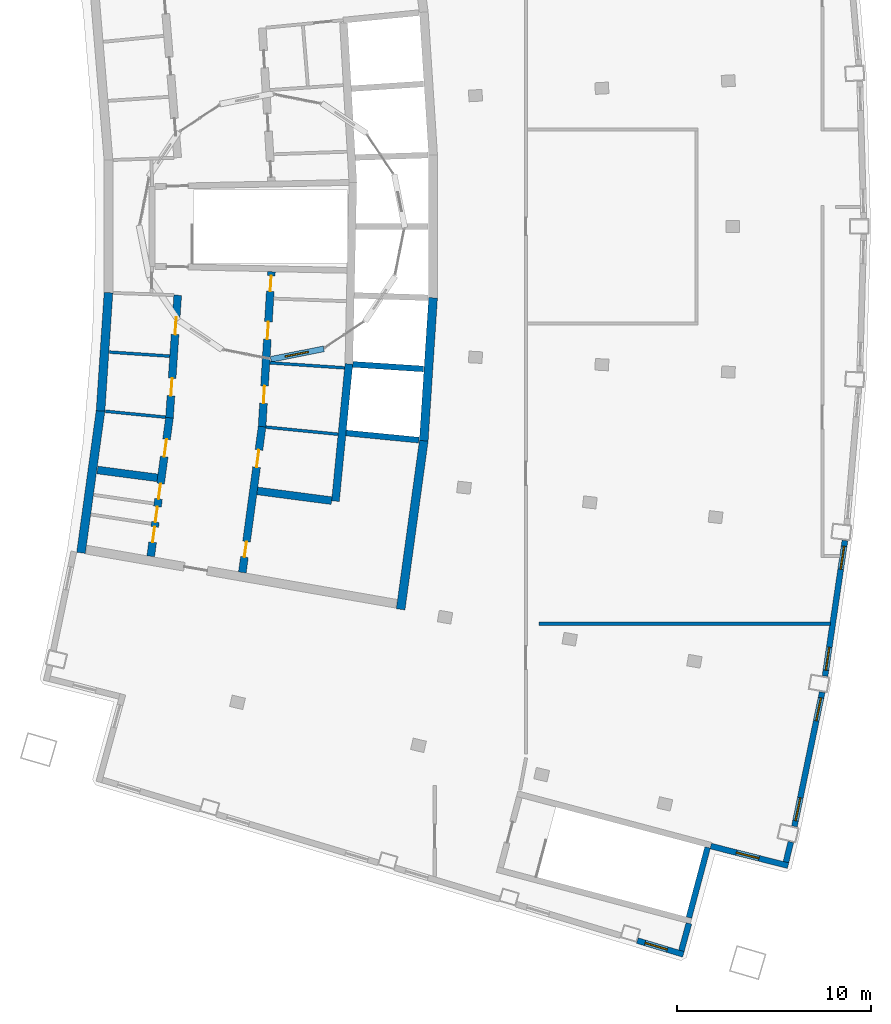
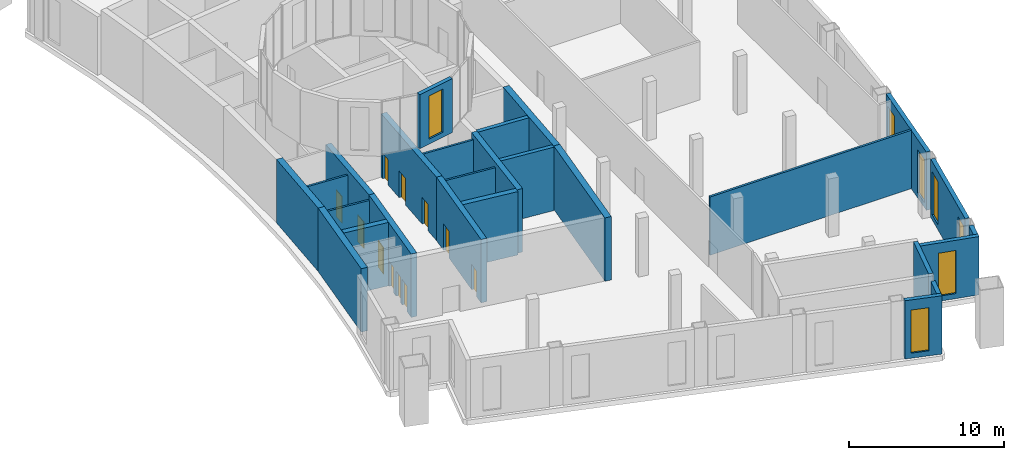
# One storey, part 4 of 9: 26 walls, 11 doors, 7 windows, 18 openings.
"""IFC4 building model written with IfcOpenShell, lengths in metres."""

from ifc_helpers import new_model, si_unit, direction, frame, frame_2d, origin, place, context, subcontext, project, spatial, rectangle, extrude, material, layer, layer_set, type_object, element, fill, save


model = new_model("IFC4")

# Units and contexts
model_context = context("Model", 3, precision=1e-05, world=origin(), true_north=direction((0.0, 1.0)))
body_context = subcontext(model_context, "Body", "Model", "MODEL_VIEW")
ifc_project = project(units=[si_unit("LENGTHUNIT", "METRE"), si_unit("AREAUNIT", "SQUARE_METRE"), si_unit("VOLUMEUNIT", "CUBIC_METRE"), si_unit("PLANEANGLEUNIT", "RADIAN"), si_unit("MASSUNIT", "GRAM", prefix="KILO")], contexts=[model_context])

# Site, building, storey
site_placement = place(None, origin())
site = spatial("IfcSite", under=ifc_project, at=site_placement, CompositionType="ELEMENT")
building_placement = place(site_placement, origin())
building = spatial("IfcBuilding", under=site, at=building_placement, Name="Alderwake Tower", CompositionType="ELEMENT")
storey_placement = place(building_placement, frame((0.0, 0.0, 310.0)))
storey = spatial("IfcBuildingStorey", under=building, at=storey_placement, Name="L75", CompositionType="ELEMENT", Elevation=310.0)

# Walls
ifc_material_1 = material(Name="Gypsum shaft wall system, rated")
ifc_layer_1 = layer(ifc_material_1, 0.14990234375)
ifc_layer_set_1 = layer_set([ifc_layer_1], Name="Core room partition 150")
wall_type_1 = type_object("IfcWallType", Name="Core room partition 150", PredefinedType="PARTITIONING", material=ifc_layer_set_1)
wall_1_placement = place(storey_placement, frame((16.510009765625, 51.463134765625, 0.0), z_axis=(0.0, 0.0, 1.0), x_axis=(0.995158089271, -0.098287218693, 0.0)))
element("IfcWall", 1, at=wall_1_placement, inside=storey, type_object=wall_type_1, Name="CW/L75/PR-103_+0", PredefinedType="PARTITIONING", context=body_context, shape_type="SweptSolid", body=[
    extrude(rectangle(XDim=3.119873046875, YDim=0.14990234375, at=frame_2d((1.56005859375, 0.0))), origin(), (0.0, 0.0, 1.0), 4.60009765625),
])
wall_2_placement = place(storey_placement, frame((24.789794921875, 50.64501953125, 0.0), z_axis=(0.0, 0.0, 1.0), x_axis=(0.99515533161, -0.098315136013, 0.0)))
element("IfcWall", 2, at=wall_2_placement, inside=storey, type_object=wall_type_1, Name="CW/L75/PR-103_+86", PredefinedType="PARTITIONING", context=body_context, shape_type="SweptSolid", body=[
    extrude(rectangle(XDim=3.7421875, YDim=0.14990234375, at=frame_2d((1.87109375, 0.0))), origin(), (0.0, 0.0, 1.0), 4.60009765625),
])
wall_3_placement = place(storey_placement, frame((16.714599609375, 54.51611328125, 0.0), z_axis=(0.0, 0.0, 1.0), x_axis=(0.997762234673, -0.066861970214, 0.0)))
element("IfcWall", 3, at=wall_3_placement, inside=storey, type_object=wall_type_1, Name="CW/L75/PR-70_+0", PredefinedType="PARTITIONING", context=body_context, shape_type="SweptSolid", body=[
    extrude(rectangle(XDim=3.118408203125, YDim=0.14990234375, at=frame_2d((1.55908203125, 0.0))), origin(), (0.0, 0.0, 1.0), 4.60009765625),
])
wall_4_placement = place(storey_placement, frame((24.990234375, 53.96142578125, 0.0), z_axis=(0.0, 0.0, 1.0), x_axis=(0.997763036934, -0.066849997223, 0.0)))
element("IfcWall", 4, at=wall_4_placement, inside=storey, type_object=wall_type_1, Name="CW/L75/PR-70_+86", PredefinedType="PARTITIONING", context=body_context, shape_type="SweptSolid", body=[
    extrude(rectangle(XDim=3.867431640625, YDim=0.14990234375, at=frame_2d((1.93359375, 0.0))), origin(), (0.0, 0.0, 1.0), 4.60009765625),
])
ifc_material_2 = material(Name="Concrete C70/85", Category="concrete")
ifc_layer_2 = layer(ifc_material_2, 0.449951171875)
ifc_layer_set_2 = layer_set([ifc_layer_2], Name="Core wall outer 450 C70-85")
wall_type_2 = type_object("IfcWallType", Name="Core wall outer 450 C70-85", PredefinedType="SHEAR", material=ifc_layer_set_2)
wall_5_placement = place(storey_placement, frame((15.247802734375, 44.159423828125, 0.0), z_axis=(0.0, 0.0, 1.0), x_axis=(0.136306095634, 0.990666769551, 0.0)))
element("IfcWall", 5, at=wall_5_placement, inside=storey, type_object=wall_type_2, Name="Core wall CW.028", PredefinedType="SHEAR", context=body_context, shape_type="SweptSolid", body=[
    extrude(rectangle(XDim=7.40625, YDim=0.449951171875, at=frame_2d((3.703125, 0.0))), origin(), (0.0, 0.0, 1.0), 5.0),
])
wall_6_placement = place(storey_placement, frame((16.255615234375, 51.47998046875, 0.0), z_axis=(0.0, 0.0, 1.0), x_axis=(0.066897619552, 0.997759845102, 0.0)))
element("IfcWall", 6, at=wall_6_placement, inside=storey, type_object=wall_type_2, Name="Core wall CW.027", PredefinedType="SHEAR", context=body_context, shape_type="SweptSolid", body=[
    extrude(rectangle(XDim=6.1201171875, YDim=0.449951171875, at=frame_2d((3.06005859375, 0.0))), origin(), (0.0, 0.0, 1.0), 5.0),
])
wall_7_placement = place(storey_placement, frame((31.74169921875, 41.2431640625, 0.0), z_axis=(0.0, 0.0, 1.0), x_axis=(0.135866240661, 0.99072718982, 0.0)))
element("IfcWall", 7, at=wall_7_placement, inside=storey, type_object=wall_type_2, Name="Core wall CW.022", PredefinedType="SHEAR", context=body_context, shape_type="SweptSolid", body=[
    extrude(rectangle(XDim=8.7958984375, YDim=0.449951171875, at=frame_2d((4.39794921875, 0.0))), origin(), (0.0, 0.0, 1.0), 5.0),
])
wall_8_placement = place(storey_placement, frame((32.93505859375, 49.940673828125, 0.0), z_axis=(0.0, 0.0, 1.0), x_axis=(0.064980500916, 0.997886533881, 0.0)))
element("IfcWall", 8, at=wall_8_placement, inside=storey, type_object=wall_type_2, Name="Core wall CW.021", PredefinedType="SHEAR", context=body_context, shape_type="SweptSolid", body=[
    extrude(rectangle(XDim=7.39404296875, YDim=0.449951171875, at=frame_2d((3.697021484375, 0.0))), origin(), (0.0, 0.0, 1.0), 5.0),
])
ifc_material_3 = material(Name="Concrete C70/85", Category="concrete")
ifc_layer_3 = layer(ifc_material_3, 0.300048828125)
ifc_layer_set_3 = layer_set([ifc_layer_3], Name="Core wall shaft 300 C70-85")
wall_type_3 = type_object("IfcWallType", Name="Core wall shaft 300 C70-85", PredefinedType="SHEAR", material=ifc_layer_set_3)
wall_9_placement = place(storey_placement, frame((28.922119140625, 50.341796875, 0.0), z_axis=(0.0, 0.0, 1.0), x_axis=(0.995245492172, -0.097398204864, 0.0)))
element("IfcWall", 9, at=wall_9_placement, inside=storey, type_object=wall_type_3, Name="Core wall CW.064", PredefinedType="SHEAR", context=body_context, shape_type="SweptSolid", body=[
    extrude(rectangle(XDim=3.777587890625, YDim=0.300048828125, at=frame_2d((1.888671875, 0.0))), origin(), (0.0, 0.0, 1.0), 5.0),
])
wall_10_placement = place(storey_placement, frame((29.268798828125, 53.884521484375, 0.0), z_axis=(0.0, 0.0, 1.0), x_axis=(0.99788697526, -0.064973722435, 0.0)))
element("IfcWall", 10, at=wall_10_placement, inside=storey, type_object=wall_type_3, Name="Core wall CW.078", PredefinedType="SHEAR", context=body_context, shape_type="SweptSolid", body=[
    extrude(rectangle(XDim=3.659912109375, YDim=0.300048828125, at=frame_2d((1.830078125, 0.0))), origin(), (0.0, 0.0, 1.0), 5.0),
])

# Wall, openings, doors
ifc_material_4 = material(Name="Concrete C70/85", Category="concrete")
ifc_layer_4 = layer(ifc_material_4, 0.39990234375)
ifc_layer_set_4 = layer_set([ifc_layer_4], Name="Core wall spine 400 C70-85")
wall_type_4 = type_object("IfcWallType", Name="Core wall spine 400 C70-85", PredefinedType="SHEAR", material=ifc_layer_set_4)
wall_11_placement = place(storey_placement, frame((19.814697265625, 51.143798828125, 0.0), z_axis=(0.0, 0.0, 1.0), x_axis=(-0.13407924926, -0.99097061254, 0.0)))
wall_11 = element("IfcWall", 11, at=wall_11_placement, inside=storey, type_object=wall_type_4, Name="Core wall CW.033", PredefinedType="SHEAR", context=body_context, shape_type="SweptSolid", body=[
    extrude(rectangle(XDim=7.228759765625, YDim=0.39990234375, at=frame_2d((3.6142578125, 0.0))), origin(), (0.0, 0.0, 1.0), 5.0),
])
opening_1_placement = place(wall_11_placement, frame((5.697021484375, 0.0, 0.0)))
opening_1 = element("IfcOpeningElement", 12, at=opening_1_placement, cuts=wall_11, Name="Opening C009", PredefinedType="OPENING", context=body_context, shape_type="SweptSolid", body=[
    extrude(rectangle(XDim=0.800048828125, YDim=2.0, at=frame_2d((0.39990234375, 1.0))), frame((0.0, 0.2099609375, 0.0), z_axis=(0.0, -1.0, 0.0), x_axis=(1.0, 0.0, 0.0)), (0.0, 0.0, 1.0), 0.419921875),
])
opening_2_placement = place(wall_11_placement, frame((4.64208984375, 0.0, 0.0)))
opening_2 = element("IfcOpeningElement", 13, at=opening_2_placement, cuts=wall_11, Name="Opening C011", PredefinedType="OPENING", context=body_context, shape_type="SweptSolid", body=[
    extrude(rectangle(XDim=0.800048828125, YDim=2.0, at=frame_2d((0.39990234375, 1.0))), frame((0.0, 0.2099609375, 0.0), z_axis=(0.0, -1.0, 0.0), x_axis=(1.0, 0.0, 0.0)), (0.0, 0.0, 1.0), 0.419921875),
])
opening_3_placement = place(wall_11_placement, frame((3.443115234375, 0.0, 0.0)))
opening_3 = element("IfcOpeningElement", 14, at=opening_3_placement, cuts=wall_11, Name="Opening C012", PredefinedType="OPENING", context=body_context, shape_type="SweptSolid", body=[
    extrude(rectangle(XDim=0.800048828125, YDim=2.0, at=frame_2d((0.39990234375, 1.0))), frame((0.0, 0.2099609375, 0.0), z_axis=(0.0, -1.0, 0.0), x_axis=(1.0, 0.0, 0.0)), (0.0, 0.0, 1.0), 0.419921875),
])
opening_4_placement = place(wall_11_placement, frame((1.13916015625, 0.0, 0.0)))
opening_4 = element("IfcOpeningElement", 15, at=opening_4_placement, cuts=wall_11, Name="Opening C039", PredefinedType="OPENING", context=body_context, shape_type="SweptSolid", body=[
    extrude(rectangle(XDim=0.89990234375, YDim=2.10009765625, at=frame_2d((0.449951171875, 1.050048828125))), frame((0.0, 0.2099609375, 0.0), z_axis=(0.0, -1.0, 0.0), x_axis=(1.0, 0.0, 0.0)), (0.0, 0.0, 1.0), 0.419921875),
])
ifc_material_5 = material(Name="Painted steel leaf", Category="steel")
door_type_1 = type_object("IfcDoorType", Name="Core room door 900", OperationType="SINGLE_SWING_LEFT", PredefinedType="DOOR", material=ifc_material_5)
door_1_placement = place(opening_4_placement, origin())
door_1 = element("IfcDoor", 16, at=door_1_placement, inside=storey, type_object=door_type_1, Name="Room door", OperationType="SINGLE_SWING_RIGHT", OverallHeight=2.10009765625, OverallWidth=0.89990234375, PredefinedType="DOOR", context=body_context, shape_type="SweptSolid", body=[
    extrude(rectangle(XDim=0.89990234375, YDim=2.10009765625, at=frame_2d((0.449951171875, 1.050048828125))), frame((0.0, 0.02490234375, 0.0), z_axis=(0.0, -1.0, 0.0), x_axis=(1.0, 0.0, 0.0)), (0.0, 0.0, 1.0), 0.050048828125),
])
fill(opening_4, door_1)
ifc_material_6 = material(Name="Painted steel leaf, rated", Category="steel")
door_type_2 = type_object("IfcDoorType", Name="Riser access door 800", OperationType="SINGLE_SWING_LEFT", PredefinedType="DOOR", material=ifc_material_6)
door_2_placement = place(opening_1_placement, origin())
door_2 = element("IfcDoor", 17, at=door_2_placement, inside=storey, type_object=door_type_2, Name="Riser access door", OperationType="SINGLE_SWING_LEFT", OverallHeight=2.0, OverallWidth=0.800048828125, PredefinedType="DOOR", context=body_context, shape_type="SweptSolid", body=[
    extrude(rectangle(XDim=0.800048828125, YDim=2.0, at=frame_2d((0.39990234375, 1.0))), frame((0.0, 0.02490234375, 0.0), z_axis=(0.0, -1.0, 0.0), x_axis=(1.0, 0.0, 0.0)), (0.0, 0.0, 1.0), 0.050048828125),
])
fill(opening_1, door_2)
door_3_placement = place(opening_2_placement, origin())
door_3 = element("IfcDoor", 18, at=door_3_placement, inside=storey, type_object=door_type_2, Name="Riser access door", OperationType="SINGLE_SWING_RIGHT", OverallHeight=2.0, OverallWidth=0.800048828125, PredefinedType="DOOR", context=body_context, shape_type="SweptSolid", body=[
    extrude(rectangle(XDim=0.800048828125, YDim=2.0, at=frame_2d((0.39990234375, 1.0))), frame((0.0, 0.02490234375, 0.0), z_axis=(0.0, -1.0, 0.0), x_axis=(1.0, 0.0, 0.0)), (0.0, 0.0, 1.0), 0.050048828125),
])
fill(opening_2, door_3)
door_4_placement = place(opening_3_placement, origin())
door_4 = element("IfcDoor", 19, at=door_4_placement, inside=storey, type_object=door_type_2, Name="Riser access door", OperationType="SINGLE_SWING_LEFT", OverallHeight=2.0, OverallWidth=0.800048828125, PredefinedType="DOOR", context=body_context, shape_type="SweptSolid", body=[
    extrude(rectangle(XDim=0.800048828125, YDim=2.0, at=frame_2d((0.39990234375, 1.0))), frame((0.0, 0.02490234375, 0.0), z_axis=(0.0, -1.0, 0.0), x_axis=(1.0, 0.0, 0.0)), (0.0, 0.0, 1.0), 0.050048828125),
])
fill(opening_3, door_4)

wall_12_placement = place(storey_placement, frame((20.2373046875, 57.451904296875, 0.0), z_axis=(0.0, 0.0, 1.0), x_axis=(-0.066884681503, -0.997760712486, 0.0)))
wall_12 = element("IfcWall", 20, at=wall_12_placement, inside=storey, type_object=wall_type_4, Name="Core wall CW.032", PredefinedType="SHEAR", context=body_context, shape_type="SweptSolid", body=[
    extrude(rectangle(XDim=6.336669921875, YDim=0.39990234375, at=frame_2d((3.16845703125, 0.0))), origin(), (0.0, 0.0, 1.0), 5.0),
])
opening_5_placement = place(wall_12_placement, frame((4.297119140625, 0.0, 0.0)))
opening_5 = element("IfcOpeningElement", 21, at=opening_5_placement, cuts=wall_12, Name="Opening C041", PredefinedType="OPENING", context=body_context, shape_type="SweptSolid", body=[
    extrude(rectangle(XDim=0.89990234375, YDim=2.10009765625, at=frame_2d((0.449951171875, 1.050048828125))), frame((0.0, 0.2099609375, 0.0), z_axis=(0.0, -1.0, 0.0), x_axis=(1.0, 0.0, 0.0)), (0.0, 0.0, 1.0), 0.419921875),
])
opening_6_placement = place(wall_12_placement, frame((1.132080078125, 0.0, 0.0)))
opening_6 = element("IfcOpeningElement", 22, at=opening_6_placement, cuts=wall_12, Name="Opening C042", PredefinedType="OPENING", context=body_context, shape_type="SweptSolid", body=[
    extrude(rectangle(XDim=0.89990234375, YDim=2.10009765625, at=frame_2d((0.449951171875, 1.050048828125))), frame((0.0, 0.2099609375, 0.0), z_axis=(0.0, -1.0, 0.0), x_axis=(1.0, 0.0, 0.0)), (0.0, 0.0, 1.0), 0.419921875),
])
door_5_placement = place(opening_5_placement, origin())
door_5 = element("IfcDoor", 23, at=door_5_placement, inside=storey, type_object=door_type_1, Name="Room door", OperationType="SINGLE_SWING_LEFT", OverallHeight=2.10009765625, OverallWidth=0.89990234375, PredefinedType="DOOR", context=body_context, shape_type="SweptSolid", body=[
    extrude(rectangle(XDim=0.89990234375, YDim=2.10009765625, at=frame_2d((0.449951171875, 1.050048828125))), frame((0.0, 0.02490234375, 0.0), z_axis=(0.0, -1.0, 0.0), x_axis=(1.0, 0.0, 0.0)), (0.0, 0.0, 1.0), 0.050048828125),
])
fill(opening_5, door_5)
door_6_placement = place(opening_6_placement, origin())
door_6 = element("IfcDoor", 24, at=door_6_placement, inside=storey, type_object=door_type_1, Name="Room door", OperationType="SINGLE_SWING_RIGHT", OverallHeight=2.10009765625, OverallWidth=0.89990234375, PredefinedType="DOOR", context=body_context, shape_type="SweptSolid", body=[
    extrude(rectangle(XDim=0.89990234375, YDim=2.10009765625, at=frame_2d((0.449951171875, 1.050048828125))), frame((0.0, 0.02490234375, 0.0), z_axis=(0.0, -1.0, 0.0), x_axis=(1.0, 0.0, 0.0)), (0.0, 0.0, 1.0), 0.050048828125),
])
fill(opening_6, door_6)

wall_13_placement = place(storey_placement, frame((23.572265625, 43.14453125, 0.0), z_axis=(0.0, 0.0, 1.0), x_axis=(0.134205350878, 0.990953542703, 0.0)))
wall_13 = element("IfcWall", 25, at=wall_13_placement, inside=storey, type_object=wall_type_4, Name="Core wall CW.047", PredefinedType="SHEAR", context=body_context, shape_type="SweptSolid", body=[
    extrude(rectangle(XDim=7.5966796875, YDim=0.39990234375, at=frame_2d((3.79833984375, 0.0))), origin(), (0.0, 0.0, 1.0), 5.0),
])
opening_7_placement = place(wall_13_placement, frame((0.807861328125, 0.0, 0.0)))
opening_7 = element("IfcOpeningElement", 26, at=opening_7_placement, cuts=wall_13, Name="Opening C013", PredefinedType="OPENING", context=body_context, shape_type="SweptSolid", body=[
    extrude(rectangle(XDim=0.800048828125, YDim=2.0, at=frame_2d((0.39990234375, 1.0))), frame((0.0, 0.2099609375, 0.0), z_axis=(0.0, -1.0, 0.0), x_axis=(1.0, 0.0, 0.0)), (0.0, 0.0, 1.0), 0.419921875),
])
opening_8_placement = place(wall_13_placement, frame((5.481201171875, 0.0, 0.0)))
opening_8 = element("IfcOpeningElement", 27, at=opening_8_placement, cuts=wall_13, Name="Opening C045", PredefinedType="OPENING", context=body_context, shape_type="SweptSolid", body=[
    extrude(rectangle(XDim=0.89990234375, YDim=2.10009765625, at=frame_2d((0.449951171875, 1.050048828125))), frame((0.0, 0.2099609375, 0.0), z_axis=(0.0, -1.0, 0.0), x_axis=(1.0, 0.0, 0.0)), (0.0, 0.0, 1.0), 0.419921875),
])
door_7_placement = place(opening_8_placement, origin())
door_7 = element("IfcDoor", 28, at=door_7_placement, inside=storey, type_object=door_type_1, Name="Room door", OperationType="SINGLE_SWING_LEFT", OverallHeight=2.10009765625, OverallWidth=0.89990234375, PredefinedType="DOOR", context=body_context, shape_type="SweptSolid", body=[
    extrude(rectangle(XDim=0.89990234375, YDim=2.10009765625, at=frame_2d((0.449951171875, 1.050048828125))), frame((0.0, 0.02490234375, 0.0), z_axis=(0.0, -1.0, 0.0), x_axis=(1.0, 0.0, 0.0)), (0.0, 0.0, 1.0), 0.050048828125),
])
fill(opening_8, door_7)
door_8_placement = place(opening_7_placement, origin())
door_8 = element("IfcDoor", 29, at=door_8_placement, inside=storey, type_object=door_type_2, Name="Riser access door", OperationType="SINGLE_SWING_RIGHT", OverallHeight=2.0, OverallWidth=0.800048828125, PredefinedType="DOOR", context=body_context, shape_type="SweptSolid", body=[
    extrude(rectangle(XDim=0.800048828125, YDim=2.0, at=frame_2d((0.39990234375, 1.0))), frame((0.0, 0.02490234375, 0.0), z_axis=(0.0, -1.0, 0.0), x_axis=(1.0, 0.0, 0.0)), (0.0, 0.0, 1.0), 0.050048828125),
])
fill(opening_7, door_8)

wall_14_placement = place(storey_placement, frame((24.590087890625, 50.65673828125, 0.0), z_axis=(0.0, 0.0, 1.0), x_axis=(0.060318641452, 0.998179173041, 0.0)))
wall_14 = element("IfcWall", 30, at=wall_14_placement, inside=storey, type_object=wall_type_4, Name="Core wall CW.046", PredefinedType="SHEAR", context=body_context, shape_type="SweptSolid", body=[
    extrude(rectangle(XDim=8.022216796875, YDim=0.39990234375, at=frame_2d((4.01123046875, 0.0))), origin(), (0.0, 0.0, 1.0), 5.0),
])
opening_9_placement = place(wall_14_placement, frame((7.006103515625, 0.0, 0.0)))
opening_9 = element("IfcOpeningElement", 31, at=opening_9_placement, cuts=wall_14, Name="Opening C006", PredefinedType="OPENING", context=body_context, shape_type="SweptSolid", body=[
    extrude(rectangle(XDim=0.800048828125, YDim=2.0, at=frame_2d((0.39990234375, 1.0))), frame((0.0, 0.2099609375, 0.0), z_axis=(0.0, -1.0, 0.0), x_axis=(1.0, 0.0, 0.0)), (0.0, 0.0, 1.0), 0.419921875),
])
opening_10_placement = place(wall_14_placement, frame((1.21533203125, 0.0, 0.0)))
opening_10 = element("IfcOpeningElement", 32, at=opening_10_placement, cuts=wall_14, Name="Opening C047", PredefinedType="OPENING", context=body_context, shape_type="SweptSolid", body=[
    extrude(rectangle(XDim=0.89990234375, YDim=2.10009765625, at=frame_2d((0.449951171875, 1.050048828125))), frame((0.0, 0.2099609375, 0.0), z_axis=(0.0, -1.0, 0.0), x_axis=(1.0, 0.0, 0.0)), (0.0, 0.0, 1.0), 0.419921875),
])
opening_11_placement = place(wall_14_placement, frame((4.531982421875, 0.0, 0.0)))
opening_11 = element("IfcOpeningElement", 33, at=opening_11_placement, cuts=wall_14, Name="Opening C048", PredefinedType="OPENING", context=body_context, shape_type="SweptSolid", body=[
    extrude(rectangle(XDim=0.89990234375, YDim=2.10009765625, at=frame_2d((0.449951171875, 1.050048828125))), frame((0.0, 0.2099609375, 0.0), z_axis=(0.0, -1.0, 0.0), x_axis=(1.0, 0.0, 0.0)), (0.0, 0.0, 1.0), 0.419921875),
])
door_9_placement = place(opening_10_placement, origin())
door_9 = element("IfcDoor", 34, at=door_9_placement, inside=storey, type_object=door_type_1, Name="Room door", OperationType="SINGLE_SWING_RIGHT", OverallHeight=2.10009765625, OverallWidth=0.89990234375, PredefinedType="DOOR", context=body_context, shape_type="SweptSolid", body=[
    extrude(rectangle(XDim=0.89990234375, YDim=2.10009765625, at=frame_2d((0.449951171875, 1.050048828125))), frame((0.0, 0.02490234375, 0.0), z_axis=(0.0, -1.0, 0.0), x_axis=(1.0, 0.0, 0.0)), (0.0, 0.0, 1.0), 0.050048828125),
])
fill(opening_10, door_9)
door_10_placement = place(opening_11_placement, origin())
door_10 = element("IfcDoor", 35, at=door_10_placement, inside=storey, type_object=door_type_1, Name="Room door", OperationType="SINGLE_SWING_LEFT", OverallHeight=2.10009765625, OverallWidth=0.89990234375, PredefinedType="DOOR", context=body_context, shape_type="SweptSolid", body=[
    extrude(rectangle(XDim=0.89990234375, YDim=2.10009765625, at=frame_2d((0.449951171875, 1.050048828125))), frame((0.0, 0.02490234375, 0.0), z_axis=(0.0, -1.0, 0.0), x_axis=(1.0, 0.0, 0.0)), (0.0, 0.0, 1.0), 0.050048828125),
])
fill(opening_11, door_10)
door_11_placement = place(opening_9_placement, origin())
door_11 = element("IfcDoor", 36, at=door_11_placement, inside=storey, type_object=door_type_2, Name="Riser access door", OperationType="SINGLE_SWING_RIGHT", OverallHeight=2.0, OverallWidth=0.800048828125, PredefinedType="DOOR", context=body_context, shape_type="SweptSolid", body=[
    extrude(rectangle(XDim=0.800048828125, YDim=2.0, at=frame_2d((0.39990234375, 1.0))), frame((0.0, 0.02490234375, 0.0), z_axis=(0.0, -1.0, 0.0), x_axis=(1.0, 0.0, 0.0)), (0.0, 0.0, 1.0), 0.050048828125),
])
fill(opening_9, door_11)

# Walls
wall_15_placement = place(storey_placement, frame((28.376953125, 46.8251953125, 0.0), z_axis=(0.0, 0.0, 1.0), x_axis=(0.097393469943, 0.995245955537, 0.0)))
element("IfcWall", 37, at=wall_15_placement, inside=storey, type_object=wall_type_4, Name="Core wall CW.005", PredefinedType="SHEAR", context=body_context, shape_type="SweptSolid", body=[
    extrude(rectangle(XDim=7.1142578125, YDim=0.39990234375, at=frame_2d((3.55712890625, 0.0))), origin(), (0.0, 0.0, 1.0), 5.0),
])
wall_16_placement = place(storey_placement, frame((16.093017578125, 48.431640625, 0.0), z_axis=(0.0, 0.0, 1.0), x_axis=(0.991562461837, -0.12962979702, 0.0)))
element("IfcWall", 38, at=wall_16_placement, inside=storey, type_object=wall_type_4, Name="Core wall CW.067", PredefinedType="SHEAR", context=body_context, shape_type="SweptSolid", body=[
    extrude(rectangle(XDim=3.12451171875, YDim=0.39990234375, at=frame_2d((1.562255859375, 0.0))), origin(), (0.0, 0.0, 1.0), 5.0),
])
wall_17_placement = place(storey_placement, frame((24.343994140625, 47.3525390625, 0.0), z_axis=(0.0, 0.0, 1.0), x_axis=(0.991556701857, -0.129673848568, 0.0)))
element("IfcWall", 39, at=wall_17_placement, inside=storey, type_object=wall_type_4, Name="Core wall CW.069", PredefinedType="SHEAR", context=body_context, shape_type="SweptSolid", body=[
    extrude(rectangle(XDim=3.8671875, YDim=0.39990234375, at=frame_2d((1.93359375, 0.0))), origin(), (0.0, 0.0, 1.0), 5.0),
])
ifc_material_7 = material(Name="Concrete C70/85", Category="concrete")
ifc_layer_5 = layer(ifc_material_7, 0.300048828125)
ifc_layer_set_5 = layer_set([ifc_layer_5], Name="Core wall stair enclosure 300 C70-85")
wall_type_5 = type_object("IfcWallType", Name="Core wall stair enclosure 300 C70-85", PredefinedType="SHEAR", material=ifc_layer_set_5)
wall_18_placement = place(storey_placement, frame((46.6162109375, 25.334716796875, 0.0), z_axis=(0.0, 0.0, 1.0), x_axis=(0.257366821694, 0.966313778796, 0.0)))
element("IfcWall", 40, at=wall_18_placement, inside=storey, type_object=wall_type_5, Name="Core wall CW.085", PredefinedType="SHEAR", context=body_context, shape_type="SweptSolid", body=[
    extrude(rectangle(XDim=3.749755859375, YDim=0.300048828125, at=frame_2d((1.875, 0.0))), origin(), (0.0, 0.0, 1.0), 5.0),
])
ifc_material_8 = material(Name="Gypsum board on metal studs, rated")
ifc_layer_6 = layer(ifc_material_8, 0.159912109375)
ifc_layer_set_6 = layer_set([ifc_layer_6], Name="Corridor wall 160")
wall_type_6 = type_object("IfcWallType", Name="Corridor wall 160", PredefinedType="PARTITIONING", material=ifc_layer_set_6)
wall_19_placement = place(storey_placement, frame((38.87890625, 40.5, 0.0), z_axis=(0.0, 0.0, 1.0), x_axis=(1.0, 0.0, 0.0)))
element("IfcWall", 41, at=wall_19_placement, inside=storey, type_object=wall_type_6, Name="WL/L75/W10", PredefinedType="PARTITIONING", context=body_context, shape_type="SweptSolid", body=[
    extrude(rectangle(XDim=15.048095703125, YDim=0.159912109375, at=frame_2d((7.52392578125, 0.0))), origin(), (0.0, 0.0, 1.0), 4.60009765625),
])

# Wall, opening, window
ifc_material_9 = material(Name="Bronze metal cladding on lightweight framing")
ifc_layer_7 = layer(ifc_material_9, 0.300048828125)
ifc_layer_set_7 = layer_set([ifc_layer_7], Name="External wall EW3 plant enclosure")
wall_type_7 = type_object("IfcWallType", Name="External wall EW3 plant enclosure", PredefinedType="SOLIDWALL", material=ifc_layer_set_7)
wall_20_placement = place(storey_placement, frame((43.9560546875, 24.150390625, 0.0), z_axis=(0.0, 0.0, 1.0), x_axis=(0.957747659823, -0.287609840068, 0.0)))
wall_20 = element("IfcWall", 42, at=wall_20_placement, inside=storey, type_object=wall_type_7, Name="External wall 15", PredefinedType="SOLIDWALL", context=body_context, shape_type="SweptSolid", body=[
    extrude(rectangle(XDim=2.4794921875, YDim=0.300048828125, at=frame_2d((1.23974609375, 0.0))), origin(), (0.0, 0.0, 1.0), 4.60009765625),
])
opening_12_placement = place(wall_20_placement, frame((0.4140625, 0.0, 0.39990234375)))
opening_12 = element("IfcOpeningElement", 43, at=opening_12_placement, cuts=wall_20, Name="Opening LV2", PredefinedType="OPENING", context=body_context, shape_type="SweptSolid", body=[
    extrude(rectangle(XDim=1.199951171875, YDim=3.39990234375, at=frame_2d((0.60009765625, 1.699951171875))), frame((0.0, 0.159912109375, 0.0), z_axis=(0.0, -1.0, 0.0), x_axis=(1.0, 0.0, 0.0)), (0.0, 0.0, 1.0), 0.320068359375),
])
ifc_material_10 = material(Name="Bronze anodised aluminium louvre", Category="aluminium")
window_type = type_object("IfcWindowType", Name="Louvre LV2 crown drum", PartitioningType="SINGLE_PANEL", PredefinedType="USERDEFINED", material=ifc_material_10)
window_1_placement = place(opening_12_placement, origin())
window_1 = element("IfcWindow", 44, at=window_1_placement, inside=storey, type_object=window_type, Name="Louvre LV2 crown drum", ObjectType="LOUVRE", OverallHeight=3.39990234375, OverallWidth=1.199951171875, PartitioningType="SINGLE_PANEL", PredefinedType="USERDEFINED", context=body_context, shape_type="SweptSolid", body=[
    extrude(rectangle(XDim=1.199951171875, YDim=3.39990234375, at=frame_2d((0.60009765625, 1.699951171875))), frame((0.0, 0.030029296875, 0.0), z_axis=(0.0, -1.0, 0.0), x_axis=(1.0, 0.0, 0.0)), (0.0, 0.0, 1.0), 0.06005859375),
])
fill(opening_12, window_1)

# Wall
wall_21_placement = place(storey_placement, frame((46.22705078125, 23.625, 0.0), z_axis=(0.0, 0.0, 1.0), x_axis=(0.264962940646, 0.964258596065, 0.0)))
element("IfcWall", 45, at=wall_21_placement, inside=storey, type_object=wall_type_7, Name="External wall 17", PredefinedType="SOLIDWALL", context=body_context, shape_type="SweptSolid", body=[
    extrude(rectangle(XDim=1.466064453125, YDim=0.300048828125, at=frame_2d((0.73291015625, 0.0))), origin(), (0.0, 0.0, 1.0), 4.60009765625),
])

# Wall, opening, window
wall_22_placement = place(storey_placement, frame((47.7412109375, 29.026611328125, 0.0), z_axis=(0.0, 0.0, 1.0), x_axis=(0.969426555578, -0.245381648337, 0.0)))
wall_22 = element("IfcWall", 46, at=wall_22_placement, inside=storey, type_object=wall_type_7, Name="External wall 19", PredefinedType="SOLIDWALL", context=body_context, shape_type="SweptSolid", body=[
    extrude(rectangle(XDim=4.115966796875, YDim=0.300048828125, at=frame_2d((2.05810546875, 0.0))), origin(), (0.0, 0.0, 1.0), 4.60009765625),
])
opening_13_placement = place(wall_22_placement, frame((1.368896484375, 0.0, 0.39990234375)))
opening_13 = element("IfcOpeningElement", 47, at=opening_13_placement, cuts=wall_22, Name="Opening LV2", PredefinedType="OPENING", context=body_context, shape_type="SweptSolid", body=[
    extrude(rectangle(XDim=1.199951171875, YDim=3.39990234375, at=frame_2d((0.60009765625, 1.699951171875))), frame((0.0, 0.159912109375, 0.0), z_axis=(0.0, -1.0, 0.0), x_axis=(1.0, 0.0, 0.0)), (0.0, 0.0, 1.0), 0.320068359375),
])
window_2_placement = place(opening_13_placement, origin())
window_2 = element("IfcWindow", 48, at=window_2_placement, inside=storey, type_object=window_type, Name="Louvre LV2 crown drum", ObjectType="LOUVRE", OverallHeight=3.39990234375, OverallWidth=1.199951171875, PartitioningType="SINGLE_PANEL", PredefinedType="USERDEFINED", context=body_context, shape_type="SweptSolid", body=[
    extrude(rectangle(XDim=1.199951171875, YDim=3.39990234375, at=frame_2d((0.60009765625, 1.699951171875))), frame((0.0, 0.030029296875, 0.0), z_axis=(0.0, -1.0, 0.0), x_axis=(1.0, 0.0, 0.0)), (0.0, 0.0, 1.0), 0.06005859375),
])
fill(opening_13, window_2)

# Wall
wall_23_placement = place(storey_placement, frame((51.621826171875, 28.19921875, 0.0), z_axis=(0.0, 0.0, 1.0), x_axis=(0.238302541545, 0.971190969219, 0.0)))
element("IfcWall", 49, at=wall_23_placement, inside=storey, type_object=wall_type_7, Name="External wall 21", PredefinedType="SOLIDWALL", context=body_context, shape_type="SweptSolid", body=[
    extrude(rectangle(XDim=1.07275390625, YDim=0.300048828125, at=frame_2d((0.536376953125, 0.0))), origin(), (0.0, 0.0, 1.0), 4.60009765625),
])

# Wall, openings, windows
wall_24_placement = place(storey_placement, frame((52.0595703125, 30.047607421875, 0.0), z_axis=(0.0, 0.0, 1.0), x_axis=(0.202747225934, 0.979231107745, 0.0)))
wall_24 = element("IfcWall", 50, at=wall_24_placement, inside=storey, type_object=wall_type_7, Name="External wall 23", PredefinedType="SOLIDWALL", context=body_context, shape_type="SweptSolid", body=[
    extrude(rectangle(XDim=7.068359375, YDim=0.300048828125, at=frame_2d((3.5341796875, 0.0))), origin(), (0.0, 0.0, 1.0), 4.60009765625),
])
opening_14_placement = place(wall_24_placement, frame((0.3017578125, 0.0, 0.39990234375)))
opening_14 = element("IfcOpeningElement", 51, at=opening_14_placement, cuts=wall_24, Name="Opening LV2", PredefinedType="OPENING", context=body_context, shape_type="SweptSolid", body=[
    extrude(rectangle(XDim=1.199951171875, YDim=3.39990234375, at=frame_2d((0.60009765625, 1.699951171875))), frame((0.0, 0.159912109375, 0.0), z_axis=(0.0, -1.0, 0.0), x_axis=(1.0, 0.0, 0.0)), (0.0, 0.0, 1.0), 0.320068359375),
])
opening_15_placement = place(wall_24_placement, frame((5.566650390625, 0.0, 0.39990234375)))
opening_15 = element("IfcOpeningElement", 52, at=opening_15_placement, cuts=wall_24, Name="Opening LV2", PredefinedType="OPENING", context=body_context, shape_type="SweptSolid", body=[
    extrude(rectangle(XDim=1.199951171875, YDim=3.39990234375, at=frame_2d((0.60009765625, 1.699951171875))), frame((0.0, 0.159912109375, 0.0), z_axis=(0.0, -1.0, 0.0), x_axis=(1.0, 0.0, 0.0)), (0.0, 0.0, 1.0), 0.320068359375),
])
window_3_placement = place(opening_14_placement, origin())
window_3 = element("IfcWindow", 53, at=window_3_placement, inside=storey, type_object=window_type, Name="Louvre LV2 crown drum", ObjectType="LOUVRE", OverallHeight=3.39990234375, OverallWidth=1.199951171875, PartitioningType="SINGLE_PANEL", PredefinedType="USERDEFINED", context=body_context, shape_type="SweptSolid", body=[
    extrude(rectangle(XDim=1.199951171875, YDim=3.39990234375, at=frame_2d((0.60009765625, 1.699951171875))), frame((0.0, 0.030029296875, 0.0), z_axis=(0.0, -1.0, 0.0), x_axis=(1.0, 0.0, 0.0)), (0.0, 0.0, 1.0), 0.06005859375),
])
fill(opening_14, window_3)
window_4_placement = place(opening_15_placement, origin())
window_4 = element("IfcWindow", 54, at=window_4_placement, inside=storey, type_object=window_type, Name="Louvre LV2 crown drum", ObjectType="LOUVRE", OverallHeight=3.39990234375, OverallWidth=1.199951171875, PartitioningType="SINGLE_PANEL", PredefinedType="USERDEFINED", context=body_context, shape_type="SweptSolid", body=[
    extrude(rectangle(XDim=1.199951171875, YDim=3.39990234375, at=frame_2d((0.60009765625, 1.699951171875))), frame((0.0, 0.030029296875, 0.0), z_axis=(0.0, -1.0, 0.0), x_axis=(1.0, 0.0, 0.0)), (0.0, 0.0, 1.0), 0.06005859375),
])
fill(opening_15, window_4)

wall_25_placement = place(storey_placement, frame((53.639404296875, 37.799560546875, 0.0), z_axis=(0.0, 0.0, 1.0), x_axis=(0.145313007309, 0.989385733628, 0.0)))
wall_25 = element("IfcWall", 55, at=wall_25_placement, inside=storey, type_object=wall_type_7, Name="External wall 25", PredefinedType="SOLIDWALL", context=body_context, shape_type="SweptSolid", body=[
    extrude(rectangle(XDim=7.068115234375, YDim=0.300048828125, at=frame_2d((3.5341796875, 0.0))), origin(), (0.0, 0.0, 1.0), 4.60009765625),
])
opening_16_placement = place(wall_25_placement, frame((0.3017578125, 0.0, 0.39990234375)))
opening_16 = element("IfcOpeningElement", 56, at=opening_16_placement, cuts=wall_25, Name="Opening LV2", PredefinedType="OPENING", context=body_context, shape_type="SweptSolid", body=[
    extrude(rectangle(XDim=1.199951171875, YDim=3.39990234375, at=frame_2d((0.60009765625, 1.699951171875))), frame((0.0, 0.159912109375, 0.0), z_axis=(0.0, -1.0, 0.0), x_axis=(1.0, 0.0, 0.0)), (0.0, 0.0, 1.0), 0.320068359375),
])
opening_17_placement = place(wall_25_placement, frame((5.56640625, 0.0, 0.39990234375)))
opening_17 = element("IfcOpeningElement", 57, at=opening_17_placement, cuts=wall_25, Name="Opening LV2", PredefinedType="OPENING", context=body_context, shape_type="SweptSolid", body=[
    extrude(rectangle(XDim=1.199951171875, YDim=3.39990234375, at=frame_2d((0.60009765625, 1.699951171875))), frame((0.0, 0.159912109375, 0.0), z_axis=(0.0, -1.0, 0.0), x_axis=(1.0, 0.0, 0.0)), (0.0, 0.0, 1.0), 0.320068359375),
])
window_5_placement = place(opening_16_placement, origin())
window_5 = element("IfcWindow", 58, at=window_5_placement, inside=storey, type_object=window_type, Name="Louvre LV2 crown drum", ObjectType="LOUVRE", OverallHeight=3.39990234375, OverallWidth=1.199951171875, PartitioningType="SINGLE_PANEL", PredefinedType="USERDEFINED", context=body_context, shape_type="SweptSolid", body=[
    extrude(rectangle(XDim=1.199951171875, YDim=3.39990234375, at=frame_2d((0.60009765625, 1.699951171875))), frame((0.0, 0.030029296875, 0.0), z_axis=(0.0, -1.0, 0.0), x_axis=(1.0, 0.0, 0.0)), (0.0, 0.0, 1.0), 0.06005859375),
])
fill(opening_16, window_5)
window_6_placement = place(opening_17_placement, origin())
window_6 = element("IfcWindow", 59, at=window_6_placement, inside=storey, type_object=window_type, Name="Louvre LV2 crown drum", ObjectType="LOUVRE", OverallHeight=3.39990234375, OverallWidth=1.199951171875, PartitioningType="SINGLE_PANEL", PredefinedType="USERDEFINED", context=body_context, shape_type="SweptSolid", body=[
    extrude(rectangle(XDim=1.199951171875, YDim=3.39990234375, at=frame_2d((0.60009765625, 1.699951171875))), frame((0.0, 0.030029296875, 0.0), z_axis=(0.0, -1.0, 0.0), x_axis=(1.0, 0.0, 0.0)), (0.0, 0.0, 1.0), 0.06005859375),
])
fill(opening_17, window_6)

# Wall, opening, window
wall_26_placement = place(storey_placement, frame((25.04150390625, 54.141357421875, 5.0), z_axis=(0.0, 0.0, 1.0), x_axis=(0.980788719279, 0.195073032821, 0.0)))
wall_26 = element("IfcWall", 60, at=wall_26_placement, inside=storey, type_object=wall_type_7, Name="External wall 72", PredefinedType="SOLIDWALL", context=body_context, shape_type="SweptSolid", body=[
    extrude(rectangle(XDim=2.791015625, YDim=0.300048828125, at=frame_2d((1.3955078125, 0.0))), origin(), (0.0, 0.0, 1.0), 4.25),
])
opening_18_placement = place(wall_26_placement, frame((0.765625, 0.0, 0.39990234375)))
opening_18 = element("IfcOpeningElement", 61, at=opening_18_placement, cuts=wall_26, Name="Opening LV2", PredefinedType="OPENING", context=body_context, shape_type="SweptSolid", body=[
    extrude(rectangle(XDim=1.199951171875, YDim=3.39990234375, at=frame_2d((0.60009765625, 1.699951171875))), frame((0.0, 0.159912109375, 0.0), z_axis=(0.0, -1.0, 0.0), x_axis=(1.0, 0.0, 0.0)), (0.0, 0.0, 1.0), 0.320068359375),
])
window_7_placement = place(opening_18_placement, origin())
window_7 = element("IfcWindow", 62, at=window_7_placement, inside=storey, type_object=window_type, Name="Louvre LV2 crown drum", ObjectType="LOUVRE", OverallHeight=3.39990234375, OverallWidth=1.199951171875, PartitioningType="SINGLE_PANEL", PredefinedType="USERDEFINED", context=body_context, shape_type="SweptSolid", body=[
    extrude(rectangle(XDim=1.199951171875, YDim=3.39990234375, at=frame_2d((0.60009765625, 1.699951171875))), frame((0.0, 0.030029296875, 0.0), z_axis=(0.0, -1.0, 0.0), x_axis=(1.0, 0.0, 0.0)), (0.0, 0.0, 1.0), 0.06005859375),
])
fill(opening_18, window_7)

save(model, "model.ifc")
